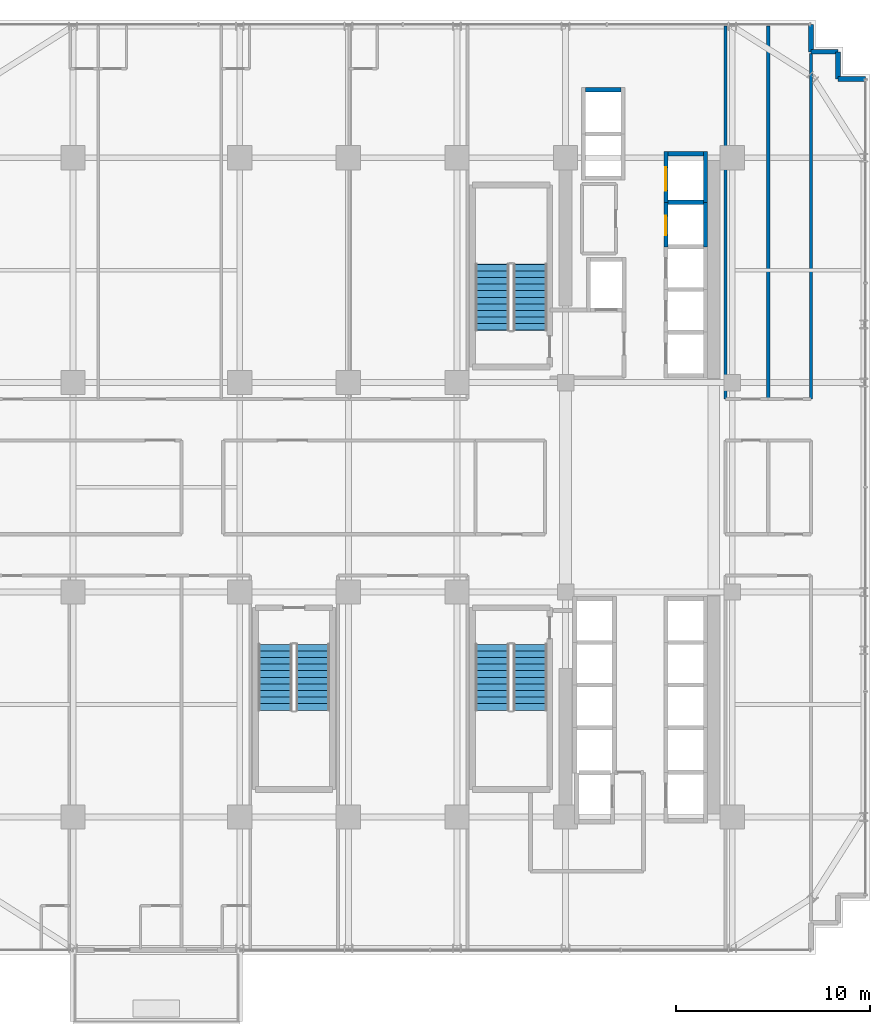
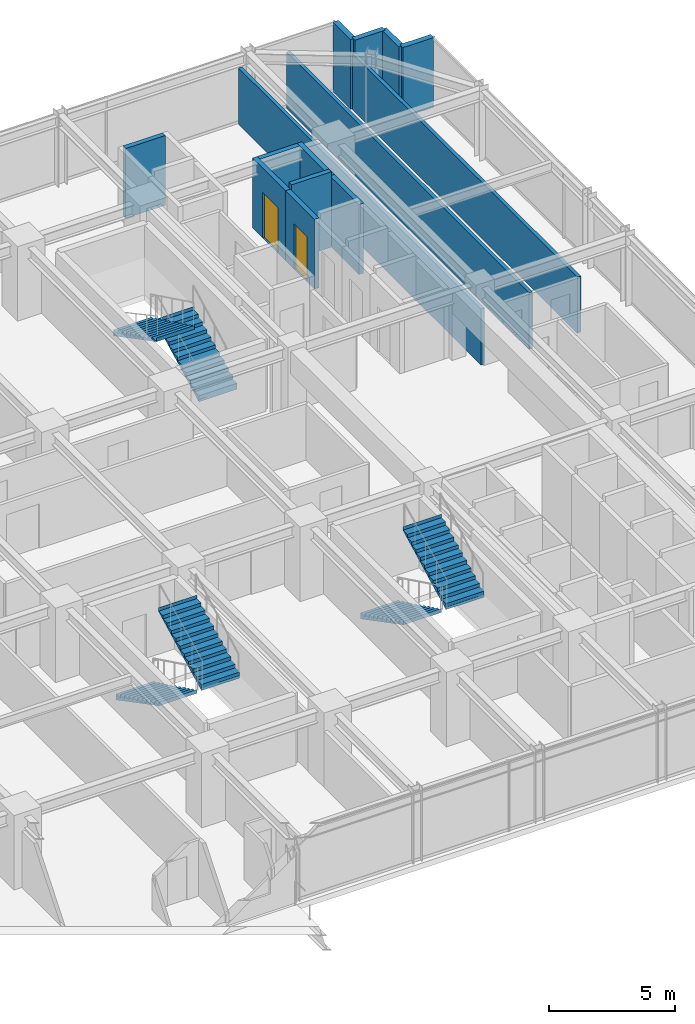
# One storey, part 29 of 32: 14 walls, 6 stair flights, 2 doors, 2 openings, 3 elements without a shape of their own.
"""IFC4 building model written with IfcOpenShell, lengths in metres."""

from ifc_helpers import new_model, si_unit, direction, frame, frame_2d, origin, place, context, subcontext, project, spatial, polyline, rectangle, outline, extrude, source, transform, mapped, material, layer, layer_set, type_object, element, fill, aggregate, save


model = new_model("IFC4")

# Units and contexts
model_context = context("Model", 3, precision=1e-05, world=origin(), true_north=direction((0.0, 1.0)))
body_context = subcontext(model_context, "Body", "Model", "MODEL_VIEW")
ifc_project = project(units=[si_unit("LENGTHUNIT", "METRE"), si_unit("AREAUNIT", "SQUARE_METRE"), si_unit("VOLUMEUNIT", "CUBIC_METRE"), si_unit("PLANEANGLEUNIT", "RADIAN"), si_unit("MASSUNIT", "GRAM", prefix="KILO")], contexts=[model_context])

# Site, building, storey
site_placement = place(None, origin())
site = spatial("IfcSite", under=ifc_project, at=site_placement, CompositionType="ELEMENT")
building_placement = place(site_placement, origin())
building = spatial("IfcBuilding", under=site, at=building_placement, Name="Nahalor Promenade Grand Hotel", CompositionType="ELEMENT")
storey_placement = place(building_placement, frame((0.0, 0.0, 124.800048828125)))
storey = spatial("IfcBuildingStorey", under=building, at=storey_placement, Name="L31", CompositionType="ELEMENT", Elevation=124.800048828125)

# Walls
ifc_material_1 = material(Name="Concrete B-50 (C40/50)", Category="concrete")
ifc_layer_1 = layer(ifc_material_1, 0.219970703125)
ifc_layer_set_1 = layer_set([ifc_layer_1], Name="Concrete B-50 (C40/50)")
wall_type_1 = type_object("IfcWallType", Name="Wall-LiftShaft-220", PredefinedType="SHEAR", material=ifc_layer_set_1)
shared_shape_1 = source(origin(), body_context, "Body", "SweptSolid", [
    extrude(rectangle(XDim=1.820068359375, YDim=0.219970703125, at=frame_2d((0.91015625, 0.0))), origin(), (0.0, 0.0, 1.0), 3.64990234375),
])
wall_1_placement = place(storey_placement, frame((13.68994140625, 14.699951171875, 0.0), z_axis=(0.0, 0.0, 1.0), x_axis=(1.0, 0.0, 0.0)))
element("IfcWall", 1, at=wall_1_placement, inside=storey, type_object=wall_type_1, Name="L31 Lift PL4 Hoistway Wall N", PredefinedType="SHEAR", context=body_context, shape_type="MappedRepresentation", body=[
    mapped(shared_shape_1, transform((0.0, 0.0, 0.0), scale=1.0)),
])
shared_shape_2 = source(origin(), body_context, "Body", "SweptSolid", [
    extrude(rectangle(XDim=1.820068359375, YDim=0.219970703125, at=frame_2d((0.91015625, 0.0))), origin(), (0.0, 0.0, 1.0), 3.3798828125),
])
for number, where, z_axis, x_axis, name in (
    (2, (9.43994140625, 20.5, 0.0), (0.0, 0.0, 1.0), (1.0, 0.0, 0.0), "L31 Lift OB2 Hoistway Wall N"),
    (3, (13.68994140625, 17.199951171875, 0.0), (0.0, 0.0, 1.0), (1.0, 0.0, 0.0), "L31 Lift SV1 Hoistway Wall N"),
):
    element("IfcWall", number, at=place(storey_placement, frame(where, z_axis=z_axis, x_axis=x_axis)), inside=storey, type_object=wall_type_1, Name=name, PredefinedType="SHEAR", context=body_context, shape_type="MappedRepresentation", body=[
        mapped(shared_shape_2, transform((0.0, 0.0, 0.0), scale=1.0)),
    ])

# Wall, opening, door
shared_shape_3 = source(origin(), body_context, "Body", "SweptSolid", [
    extrude(rectangle(XDim=2.300048828125, YDim=0.219970703125, at=frame_2d((1.14990234375, 0.0))), origin(), (0.0, 0.0, 1.0), 3.3798828125),
])
wall_2_placement = place(storey_placement, frame((13.580078125, 12.39990234375, 0.0), z_axis=(0.0, 0.0, 1.0), x_axis=(0.0, 1.0, 0.0)))
wall_2 = element("IfcWall", 4, at=wall_2_placement, inside=storey, type_object=wall_type_1, Name="L31 Lift PL4 Hoistway Wall W", PredefinedType="SHEAR", context=body_context, shape_type="MappedRepresentation", body=[
    mapped(shared_shape_3, transform((0.0, 0.0, 0.0), scale=1.0)),
])
opening_1_placement = place(wall_2_placement, frame((0.60009765625, 0.0, 0.0)))
opening_1 = element("IfcOpeningElement", 5, at=opening_1_placement, cuts=wall_2, Name="Opening LD-01", PredefinedType="OPENING", context=body_context, shape_type="SweptSolid", body=[
    extrude(rectangle(XDim=1.0, YDim=2.199951171875, at=frame_2d((0.5, 1.10009765625))), frame((0.0, 0.119873046875, 0.0), z_axis=(0.0, -1.0, 0.0), x_axis=(1.0, 0.0, 0.0)), (0.0, 0.0, 1.0), 0.239990234375),
])
ifc_material_2 = material(Name="Steel S355JR", Category="steel")
door_type_1 = type_object("IfcDoorType", Name="Door-LiftLanding-1000", OperationType="DOUBLE_DOOR_SLIDING", PredefinedType="DOOR", material=ifc_material_2)
shared_shape_4 = source(origin(), body_context, "Body", "SweptSolid", [
    extrude(rectangle(XDim=1.0, YDim=2.199951171875, at=frame_2d((0.5, 1.10009765625))), frame((0.0, 0.02490234375, 0.0), z_axis=(0.0, -1.0, 0.0), x_axis=(1.0, 0.0, 0.0)), (0.0, 0.0, 1.0), 0.050048828125),
])
door_1_placement = place(opening_1_placement, origin())
door_1 = element("IfcDoor", 6, at=door_1_placement, inside=storey, type_object=door_type_1, Name="DR-LIFT-PL4-L31", OperationType="DOUBLE_DOOR_SLIDING", OverallHeight=2.199951171875, OverallWidth=1.0, PredefinedType="DOOR", context=body_context, shape_type="MappedRepresentation", body=[
    mapped(shared_shape_4, transform((0.0, 0.0, 0.0), scale=1.0)),
])
fill(opening_1, door_1)

# Wall
wall_3_placement = place(storey_placement, frame((15.6201171875, 12.39990234375, 0.0), z_axis=(0.0, 0.0, 1.0), x_axis=(0.0, 1.0, 0.0)))
element("IfcWall", 7, at=wall_3_placement, inside=storey, type_object=wall_type_1, Name="L31 Lift PL4 Hoistway Wall E", PredefinedType="SHEAR", context=body_context, shape_type="MappedRepresentation", body=[
    mapped(shared_shape_3, transform((0.0, 0.0, 0.0), scale=1.0)),
])

# Wall, opening, door
shared_shape_5 = source(origin(), body_context, "Body", "SweptSolid", [
    extrude(rectangle(XDim=2.610107421875, YDim=0.219970703125, at=frame_2d((1.30517578125, 0.0))), origin(), (0.0, 0.0, 1.0), 3.3798828125),
])
wall_4_placement = place(storey_placement, frame((13.580078125, 14.699951171875, 0.0), z_axis=(0.0, 0.0, 1.0), x_axis=(0.0, 1.0, 0.0)))
wall_4 = element("IfcWall", 8, at=wall_4_placement, inside=storey, type_object=wall_type_1, Name="L31 Lift SV1 Hoistway Wall W", PredefinedType="SHEAR", context=body_context, shape_type="MappedRepresentation", body=[
    mapped(shared_shape_5, transform((0.0, 0.0, 0.0), scale=1.0)),
])
opening_2_placement = place(wall_4_placement, frame((0.60009765625, 0.0, 0.0)))
opening_2 = element("IfcOpeningElement", 9, at=opening_2_placement, cuts=wall_4, Name="Opening LD-03", PredefinedType="OPENING", context=body_context, shape_type="SweptSolid", body=[
    extrude(rectangle(XDim=1.199951171875, YDim=2.199951171875, at=frame_2d((0.60009765625, 1.10009765625))), frame((0.0, 0.119873046875, 0.0), z_axis=(0.0, -1.0, 0.0), x_axis=(1.0, 0.0, 0.0)), (0.0, 0.0, 1.0), 0.239990234375),
])
door_type_2 = type_object("IfcDoorType", Name="Door-LiftService-1200", OperationType="DOUBLE_DOOR_SLIDING", PredefinedType="DOOR", material=ifc_material_2)
shared_shape_6 = source(origin(), body_context, "Body", "SweptSolid", [
    extrude(rectangle(XDim=1.199951171875, YDim=2.199951171875, at=frame_2d((0.60009765625, 1.10009765625))), frame((0.0, 0.02490234375, 0.0), z_axis=(0.0, -1.0, 0.0), x_axis=(1.0, 0.0, 0.0)), (0.0, 0.0, 1.0), 0.050048828125),
])
door_2_placement = place(opening_2_placement, origin())
door_2 = element("IfcDoor", 10, at=door_2_placement, inside=storey, type_object=door_type_2, Name="DR-LIFT-SV1-L31", OperationType="DOUBLE_DOOR_SLIDING", OverallHeight=2.199951171875, OverallWidth=1.199951171875, PredefinedType="DOOR", context=body_context, shape_type="MappedRepresentation", body=[
    mapped(shared_shape_6, transform((0.0, 0.0, 0.0), scale=1.0)),
])
fill(opening_2, door_2)

# Walls
wall_5_placement = place(storey_placement, frame((15.6201171875, 14.699951171875, 0.0), z_axis=(0.0, 0.0, 1.0), x_axis=(0.0, 1.0, 0.0)))
element("IfcWall", 11, at=wall_5_placement, inside=storey, type_object=wall_type_1, Name="L31 Lift SV1 Hoistway Wall E", PredefinedType="SHEAR", context=body_context, shape_type="MappedRepresentation", body=[
    mapped(shared_shape_5, transform((0.0, 0.0, 0.0), scale=1.0)),
])
ifc_material_3 = material(Name="Concrete B-40 (C32/40)", Category="concrete")
ifc_layer_2 = layer(ifc_material_3, 0.25)
ifc_layer_set_2 = layer_set([ifc_layer_2], Name="Concrete B-40 (C32/40)")
wall_type_2 = type_object("IfcWallType", Name="Wall-BronzePier-250", PredefinedType="STANDARD", material=ifc_layer_set_2)
shared_shape_7 = source(origin(), body_context, "Body", "SweptSolid", [
    extrude(rectangle(XDim=1.400146484375, YDim=0.25, at=frame_2d((0.7001953125, 0.0))), origin(), (0.0, 0.0, 1.0), 3.3798828125),
])
for number, where, z_axis, x_axis, name in (
    (12, (22.4599609375, 21.06005859375, 0.0), (0.0, 0.0, 1.0), (1.0, 0.0, 0.0), "W-L31-SR-05"),
    (13, (21.06005859375, 22.4599609375, 0.0), (0.0, 0.0, 1.0), (0.0, 1.0, 0.0), "W-L31-SR-08"),
):
    element("IfcWall", number, at=place(storey_placement, frame(where, z_axis=z_axis, x_axis=x_axis)), inside=storey, type_object=wall_type_2, Name=name, PredefinedType="STANDARD", context=body_context, shape_type="MappedRepresentation", body=[
        mapped(shared_shape_7, transform((0.0, 0.0, 0.0), scale=1.0)),
    ])
shared_shape_8 = source(origin(), body_context, "Body", "SweptSolid", [
    extrude(rectangle(XDim=1.39990234375, YDim=0.25, at=frame_2d((0.699951171875, 0.0))), origin(), (0.0, 0.0, 1.0), 3.3798828125),
])
for number, where, z_axis, x_axis, name in (
    (14, (22.4599609375, 21.06005859375, 0.0), (0.0, 0.0, 1.0), (0.0, 1.0, 0.0), "W-L31-SR-06"),
    (15, (21.06005859375, 22.4599609375, 0.0), (0.0, 0.0, 1.0), (1.0, 0.0, 0.0), "W-L31-SR-07"),
):
    element("IfcWall", number, at=place(storey_placement, frame(where, z_axis=z_axis, x_axis=x_axis)), inside=storey, type_object=wall_type_2, Name=name, PredefinedType="STANDARD", context=body_context, shape_type="MappedRepresentation", body=[
        mapped(shared_shape_8, transform((0.0, 0.0, 0.0), scale=1.0)),
    ])
ifc_material_4 = material(Name="Acoustic Mineral Gypsum", Category="gypsum")
ifc_layer_3 = layer(ifc_material_4, 0.159912109375)
ifc_layer_set_3 = layer_set([ifc_layer_3], Name="Acoustic Mineral Gypsum")
wall_type_3 = type_object("IfcWallType", Name="Wall-PartCorridor-160", PredefinedType="PARTITIONING", material=ifc_layer_set_3)
shared_shape_9 = source(origin(), body_context, "Body", "SweptSolid", [
    extrude(rectangle(XDim=19.25, YDim=0.159912109375, at=frame_2d((9.625, 0.0))), origin(), (0.0, 0.0, 1.0), 2.719970703125),
])
for number, where, z_axis, x_axis, name in (
    (16, (16.64990234375, 4.550048828125, 0.0), (0.0, 0.0, 1.0), (0.0, 1.0, 0.0), "W-L31-ENE1-W"),
    (17, (18.85498046875, 4.550048828125, 0.0), (0.0, 0.0, 1.0), (0.0, 1.0, 0.0), "W-L31-ENE1-E"),
):
    element("IfcWall", number, at=place(storey_placement, frame(where, z_axis=z_axis, x_axis=x_axis)), inside=storey, type_object=wall_type_3, Name=name, PredefinedType="PARTITIONING", context=body_context, shape_type="MappedRepresentation", body=[
        mapped(shared_shape_9, transform((0.0, 0.0, 0.0), scale=1.0)),
    ])
shared_shape_10 = source(origin(), body_context, "Body", "SweptSolid", [
    extrude(rectangle(XDim=17.829833984375, YDim=0.159912109375, at=frame_2d((8.9150390625, 0.0))), origin(), (0.0, 0.0, 1.0), 2.719970703125),
])
wall_6_placement = place(storey_placement, frame((21.06005859375, 4.550048828125, 0.0), z_axis=(0.0, 0.0, 1.0), x_axis=(0.0, 1.0, 0.0)))
element("IfcWall", 18, at=wall_6_placement, inside=storey, type_object=wall_type_3, Name="W-L31-ENE2-E", PredefinedType="PARTITIONING", context=body_context, shape_type="MappedRepresentation", body=[
    mapped(shared_shape_10, transform((0.0, 0.0, 0.0), scale=1.0)),
])

# Stair, stair flights
stair_type_1 = type_object("IfcStairType", Name="Stair-ST1", PredefinedType="HALF_TURN_STAIR", material=ifc_material_1)
stair_1_placement = place(storey_placement, origin())
stair_1 = element("IfcStair", 19, at=stair_1_placement, inside=storey, type_object=stair_type_1, Name="L31 ST1", PredefinedType="HALF_TURN_STAIR")
ifc_layer_4 = layer(ifc_material_1, 0.179931640625)
ifc_layer_set_4 = layer_set([ifc_layer_4], Name="Concrete B-50 (C40/50)")
stair_flight_type_1 = type_object("IfcStairFlightType", Name="Flight-ST1", PredefinedType="STRAIGHT", material=ifc_layer_set_4)
shared_shape_11 = source(origin(), body_context, "Body", "SweptSolid", [
    extrude(outline(polyline([(-0.00390625, -0.1201171875), (-0.00390625, 0.0), (0.0, 0.0), (0.0, 0.166015625), (0.340087890625, 0.166015625), (0.340087890625, 0.331787109375), (0.679931640625, 0.331787109375), (0.679931640625, 0.497802734375), (1.02001953125, 0.497802734375), (1.02001953125, 0.66357421875), (1.360107421875, 0.66357421875), (1.360107421875, 0.82958984375), (1.699951171875, 0.82958984375), (1.699951171875, 0.995361328125), (2.0400390625, 0.995361328125), (2.0400390625, 1.161376953125), (2.3798828125, 1.161376953125), (2.3798828125, 1.327392578125), (2.719970703125, 1.327392578125), (2.719970703125, 1.4931640625), (3.06005859375, 1.4931640625), (3.06005859375, 1.6591796875), (3.39990234375, 1.6591796875), (3.39990234375, 1.824951171875), (3.404052734375, 1.824951171875), (3.404052734375, 1.64501953125), (0.02001953125, -0.1201171875), (-0.00390625, -0.1201171875)])), frame((0.0, 0.875, 0.0), z_axis=(0.0, -1.0, 0.0), x_axis=(1.0, 0.0, 0.0)), (0.0, 0.0, 1.0), 1.75),
])
stair_flight_1_placement = place(storey_placement, frame((6.574951171875, 8.10009765625, 0.0), z_axis=(0.0, 0.0, 1.0), x_axis=(0.0, 1.0, 0.0)))
stair_flight_1 = element("IfcStairFlight", 20, at=stair_flight_1_placement, type_object=stair_flight_type_1, Name="ST1 flight 1", NumberOfRisers=11, NumberOfTreads=10, PredefinedType="STRAIGHT", RiserHeight=0.165909091, TreadLength=0.34, context=body_context, shape_type="MappedRepresentation", body=[
    mapped(shared_shape_11, transform((0.0, 0.0, 0.0), scale=1.0)),
])
stair_flight_2_placement = place(storey_placement, frame((4.625, 11.5, 1.824951171875), z_axis=(0.0, 0.0, 1.0), x_axis=(0.0, -1.0, 0.0)))
stair_flight_2 = element("IfcStairFlight", 21, at=stair_flight_2_placement, type_object=stair_flight_type_1, Name="ST1 flight 2", NumberOfRisers=11, NumberOfTreads=10, PredefinedType="STRAIGHT", RiserHeight=0.165909091, TreadLength=0.34, context=body_context, shape_type="MappedRepresentation", body=[
    mapped(shared_shape_11, transform((0.0, 0.0, 0.0), scale=1.0)),
])
aggregate(stair_1, [stair_flight_1, stair_flight_2])

stair_type_2 = type_object("IfcStairType", Name="Stair-ST2", PredefinedType="HALF_TURN_STAIR", material=ifc_material_1)
stair_2_placement = place(storey_placement, origin())
stair_2 = element("IfcStair", 22, at=stair_2_placement, inside=storey, type_object=stair_type_2, Name="L31 ST2", PredefinedType="HALF_TURN_STAIR")
ifc_layer_5 = layer(ifc_material_1, 0.18994140625)
ifc_layer_set_5 = layer_set([ifc_layer_5], Name="Concrete B-50 (C40/50)")
stair_flight_type_2 = type_object("IfcStairFlightType", Name="Flight-ST2", PredefinedType="STRAIGHT", material=ifc_layer_set_5)
shared_shape_12 = source(origin(), body_context, "Body", "SweptSolid", [
    extrude(outline(polyline([(-0.00390625, -0.1201171875), (-0.00390625, 0.0), (0.0, 0.0), (0.0, 0.166015625), (0.340087890625, 0.166015625), (0.340087890625, 0.331787109375), (0.679931640625, 0.331787109375), (0.679931640625, 0.497802734375), (1.02001953125, 0.497802734375), (1.02001953125, 0.66357421875), (1.360107421875, 0.66357421875), (1.360107421875, 0.82958984375), (1.699951171875, 0.82958984375), (1.699951171875, 0.995361328125), (2.0400390625, 0.995361328125), (2.0400390625, 1.161376953125), (2.3798828125, 1.161376953125), (2.3798828125, 1.327392578125), (2.719970703125, 1.327392578125), (2.719970703125, 1.4931640625), (3.06005859375, 1.4931640625), (3.06005859375, 1.6591796875), (3.39990234375, 1.6591796875), (3.39990234375, 1.824951171875), (3.404052734375, 1.824951171875), (3.404052734375, 1.64501953125), (0.02001953125, -0.1201171875), (-0.00390625, -0.1201171875)])), frame((0.0, 0.875, 0.0), z_axis=(0.0, -1.0, 0.0), x_axis=(1.0, 0.0, 0.0)), (0.0, 0.0, 1.0), 1.75),
])
stair_flight_3_placement = place(storey_placement, frame((4.625, -8.10009765625, 0.0), z_axis=(0.0, 0.0, 1.0), x_axis=(0.0, -1.0, 0.0)))
stair_flight_3 = element("IfcStairFlight", 23, at=stair_flight_3_placement, type_object=stair_flight_type_2, Name="ST2 flight 1", NumberOfRisers=11, NumberOfTreads=10, PredefinedType="STRAIGHT", RiserHeight=0.165909091, TreadLength=0.34, context=body_context, shape_type="MappedRepresentation", body=[
    mapped(shared_shape_12, transform((0.0, 0.0, 0.0), scale=1.0)),
])
stair_flight_4_placement = place(storey_placement, frame((6.574951171875, -11.5, 1.824951171875), z_axis=(0.0, 0.0, 1.0), x_axis=(0.0, 1.0, 0.0)))
stair_flight_4 = element("IfcStairFlight", 24, at=stair_flight_4_placement, type_object=stair_flight_type_2, Name="ST2 flight 2", NumberOfRisers=11, NumberOfTreads=10, PredefinedType="STRAIGHT", RiserHeight=0.165909091, TreadLength=0.34, context=body_context, shape_type="MappedRepresentation", body=[
    mapped(shared_shape_12, transform((0.0, 0.0, 0.0), scale=1.0)),
])
aggregate(stair_2, [stair_flight_3, stair_flight_4])

stair_type_3 = type_object("IfcStairType", Name="Stair-ST3", PredefinedType="HALF_TURN_STAIR", material=ifc_material_1)
stair_3_placement = place(storey_placement, origin())
stair_3 = element("IfcStair", 25, at=stair_3_placement, inside=storey, type_object=stair_type_3, Name="L31 ST3", PredefinedType="HALF_TURN_STAIR")
ifc_layer_6 = layer(ifc_material_1, 0.199951171875)
ifc_layer_set_6 = layer_set([ifc_layer_6], Name="Concrete B-50 (C40/50)")
stair_flight_type_3 = type_object("IfcStairFlightType", Name="Flight-ST3", PredefinedType="STRAIGHT", material=ifc_layer_set_6)
shared_shape_13 = source(origin(), body_context, "Body", "SweptSolid", [
    extrude(outline(polyline([(-0.00390625, -0.1201171875), (-0.00390625, 0.0), (0.0, 0.0), (0.0, 0.166015625), (0.340087890625, 0.166015625), (0.340087890625, 0.331787109375), (0.679931640625, 0.331787109375), (0.679931640625, 0.497802734375), (1.02001953125, 0.497802734375), (1.02001953125, 0.66357421875), (1.360107421875, 0.66357421875), (1.360107421875, 0.82958984375), (1.699951171875, 0.82958984375), (1.699951171875, 0.995361328125), (2.0400390625, 0.995361328125), (2.0400390625, 1.161376953125), (2.3798828125, 1.161376953125), (2.3798828125, 1.327392578125), (2.719970703125, 1.327392578125), (2.719970703125, 1.4931640625), (3.06005859375, 1.4931640625), (3.06005859375, 1.6591796875), (3.39990234375, 1.6591796875), (3.39990234375, 1.824951171875), (3.404052734375, 1.824951171875), (3.404052734375, 1.64501953125), (0.02001953125, -0.1201171875), (-0.00390625, -0.1201171875)])), frame((0.0, 0.875, 0.0), z_axis=(0.0, -1.0, 0.0), x_axis=(1.0, 0.0, 0.0)), (0.0, 0.0, 1.0), 1.75),
])
stair_flight_5_placement = place(storey_placement, frame((-6.574951171875, -8.10009765625, 0.0), z_axis=(0.0, 0.0, 1.0), x_axis=(0.0, -1.0, 0.0)))
stair_flight_5 = element("IfcStairFlight", 26, at=stair_flight_5_placement, type_object=stair_flight_type_3, Name="ST3 flight 1", NumberOfRisers=11, NumberOfTreads=10, PredefinedType="STRAIGHT", RiserHeight=0.165909091, TreadLength=0.34, context=body_context, shape_type="MappedRepresentation", body=[
    mapped(shared_shape_13, transform((0.0, 0.0, 0.0), scale=1.0)),
])
stair_flight_6_placement = place(storey_placement, frame((-4.625, -11.5, 1.824951171875), z_axis=(0.0, 0.0, 1.0), x_axis=(0.0, 1.0, 0.0)))
stair_flight_6 = element("IfcStairFlight", 27, at=stair_flight_6_placement, type_object=stair_flight_type_3, Name="ST3 flight 2", NumberOfRisers=11, NumberOfTreads=10, PredefinedType="STRAIGHT", RiserHeight=0.165909091, TreadLength=0.34, context=body_context, shape_type="MappedRepresentation", body=[
    mapped(shared_shape_13, transform((0.0, 0.0, 0.0), scale=1.0)),
])
aggregate(stair_3, [stair_flight_5, stair_flight_6])

save(model, "model.ifc")
